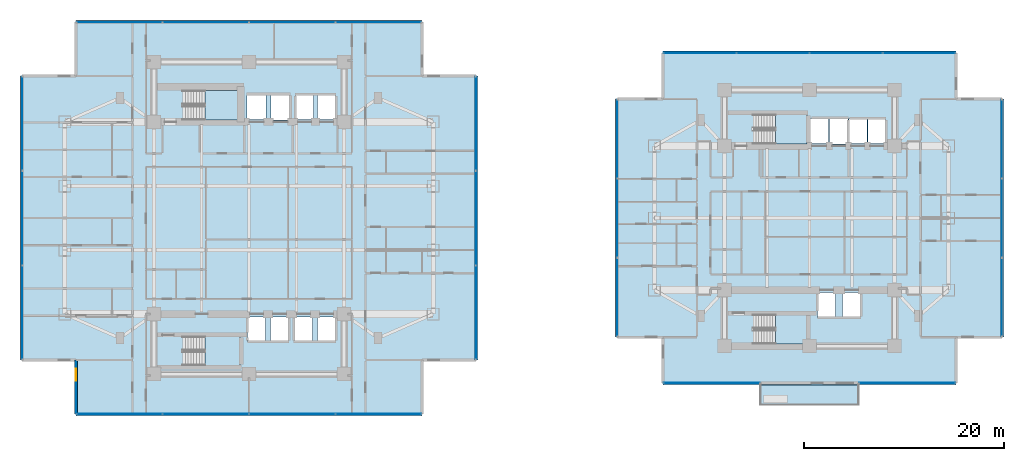
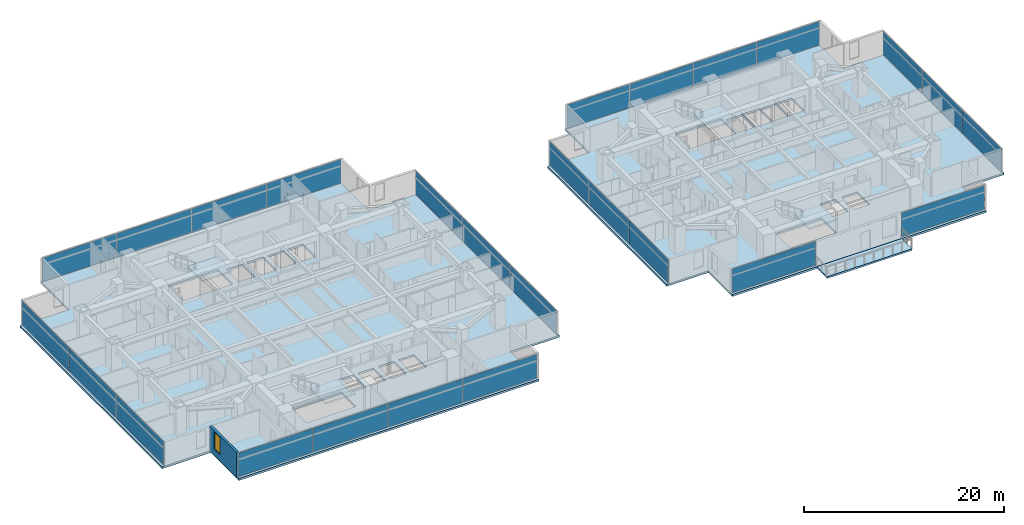
# One storey, part 13 of 27: 26 plates, 7 slabs, 1 wall, 1 window, 1 opening, 13 elements without a shape of their own.
"""IFC4 building model written with IfcOpenShell, lengths in metres."""

from ifc_helpers import new_model, si_unit, direction, frame, frame_2d, origin, origin_2d, place, context, subcontext, project, spatial, polyline, rectangle, outline, extrude, material, layer, layer_set, type_object, element, fill, aggregate, save


model = new_model("IFC4")

# Units and contexts
model_context = context("Model", 3, precision=1e-05, world=origin(), true_north=direction((0.0, 1.0)))
body_context = subcontext(model_context, "Body", "Model", "MODEL_VIEW")
ifc_project = project(units=[si_unit("LENGTHUNIT", "METRE"), si_unit("AREAUNIT", "SQUARE_METRE"), si_unit("VOLUMEUNIT", "CUBIC_METRE"), si_unit("PLANEANGLEUNIT", "RADIAN"), si_unit("MASSUNIT", "GRAM", prefix="KILO")], contexts=[model_context])

# Site, building, storey
site_placement = place(None, origin())
site = spatial("IfcSite", under=ifc_project, at=site_placement, CompositionType="ELEMENT")
building_placement = place(site_placement, origin())
building = spatial("IfcBuilding", under=site, at=building_placement, Name="Mirazonda Arch Towers", CompositionType="ELEMENT")
storey_placement = place(building_placement, frame((0.0, 0.0, 42.199951171875)))
storey = spatial("IfcBuildingStorey", under=building, at=storey_placement, Name="L11", CompositionType="ELEMENT", Elevation=42.199951171875)

# Curtain wall, plates
ifc_material_1 = material(Name="Anodised Aluminium and Low-E Glass", Category="aluminium")
curtain_wall_type = type_object("IfcCurtainWallType", Name="CW-HTL-UNIT", PredefinedType="NOTDEFINED", material=ifc_material_1)
curtain_wall_1_placement = place(storey_placement, origin())
curtain_wall_1 = element("IfcCurtainWall", 1, at=curtain_wall_1_placement, inside=storey, type_object=curtain_wall_type, Name="L11 T1 S Facade CW-L11-T1-S", PredefinedType="NOTDEFINED")
ifc_material_2 = material(Name="Insulated Low-E Solar Glass", Category="glass")
ifc_layer_1 = layer(ifc_material_2, 0.035888671875, Name="PAN-CW-HTL-UNIT")
ifc_layer_set_1 = layer_set([ifc_layer_1], Name="Insulated Low-E Solar Glass")
plate_type = type_object("IfcPlateType", Name="PAN-CW-HTL-UNIT", PredefinedType="CURTAIN_PANEL", material=ifc_layer_set_1)
plate_1_placement = place(storey_placement, frame((33.441162109375, 8.431884765625, 0.0751953125), z_axis=(0.0, 0.0, 1.0), x_axis=(-1.0, 0.0, 0.0)))
plate_1 = element("IfcPlate", 2, at=plate_1_placement, type_object=plate_type, Name="CW-112 panel 1.1", PredefinedType="CURTAIN_PANEL", context=body_context, shape_type="SweptSolid", body=[
    extrude(rectangle(XDim=8.527587890625, YDim=0.035888671875, at=origin_2d()), origin(), (0.0, 0.0, 1.0), 2.889892578125),
])
plate_2_placement = place(storey_placement, frame((24.820068359375, 8.431884765625, 0.0751953125), z_axis=(0.0, 0.0, 1.0), x_axis=(-1.0, 0.0, 0.0)))
plate_2 = element("IfcPlate", 3, at=plate_2_placement, type_object=plate_type, Name="CW-112 panel 2.1", PredefinedType="CURTAIN_PANEL", context=body_context, shape_type="SweptSolid", body=[
    extrude(rectangle(XDim=8.56494140625, YDim=0.035888671875, at=origin_2d()), origin(), (0.0, 0.0, 1.0), 2.889892578125),
])
plate_3_placement = place(storey_placement, frame((16.179931640625, 8.431884765625, 0.0751953125), z_axis=(0.0, 0.0, 1.0), x_axis=(-1.0, 0.0, 0.0)))
plate_3 = element("IfcPlate", 4, at=plate_3_placement, type_object=plate_type, Name="CW-112 panel 3.1", PredefinedType="CURTAIN_PANEL", context=body_context, shape_type="SweptSolid", body=[
    extrude(rectangle(XDim=8.56494140625, YDim=0.035888671875, at=origin_2d()), origin(), (0.0, 0.0, 1.0), 2.889892578125),
])
plate_4_placement = place(storey_placement, frame((7.558837890625, 8.431884765625, 0.0751953125), z_axis=(0.0, 0.0, 1.0), x_axis=(-1.0, 0.0, 0.0)))
plate_4 = element("IfcPlate", 5, at=plate_4_placement, type_object=plate_type, Name="CW-112 panel 4.1", PredefinedType="CURTAIN_PANEL", context=body_context, shape_type="SweptSolid", body=[
    extrude(rectangle(XDim=8.527587890625, YDim=0.035888671875, at=origin_2d()), origin(), (0.0, 0.0, 1.0), 2.889892578125),
])
aggregate(curtain_wall_1, [plate_1, plate_2, plate_3, plate_4])

curtain_wall_2_placement = place(storey_placement, origin())
curtain_wall_2 = element("IfcCurtainWall", 6, at=curtain_wall_2_placement, inside=storey, type_object=curtain_wall_type, Name="L11 T1 E Facade CW-L11-T1-E", PredefinedType="NOTDEFINED")
plate_5_placement = place(storey_placement, frame((43.159912109375, 18.56005859375, 0.0751953125), z_axis=(0.0, 0.0, 1.0), x_axis=(0.0, 1.0, 0.0)))
plate_5 = element("IfcPlate", 7, at=plate_5_placement, type_object=plate_type, Name="CW-112 panel 1.1", PredefinedType="CURTAIN_PANEL", context=body_context, shape_type="SweptSolid", body=[
    extrude(rectangle(XDim=9.34619140625, YDim=0.035888671875, at=origin_2d()), origin(), (0.0, 0.0, 1.0), 2.889892578125),
])
plate_6_placement = place(storey_placement, frame((43.159912109375, 28.0, 0.0751953125), z_axis=(0.0, 0.0, 1.0), x_axis=(0.0, 1.0, 0.0)))
plate_6 = element("IfcPlate", 8, at=plate_6_placement, type_object=plate_type, Name="CW-112 panel 2.1", PredefinedType="CURTAIN_PANEL", context=body_context, shape_type="SweptSolid", body=[
    extrude(rectangle(XDim=9.383544921875, YDim=0.035888671875, at=origin_2d()), origin(), (0.0, 0.0, 1.0), 2.889892578125),
])
plate_7_placement = place(storey_placement, frame((43.159912109375, 37.43994140625, 0.0751953125), z_axis=(0.0, 0.0, 1.0), x_axis=(0.0, 1.0, 0.0)))
plate_7 = element("IfcPlate", 9, at=plate_7_placement, type_object=plate_type, Name="CW-112 panel 3.1", PredefinedType="CURTAIN_PANEL", context=body_context, shape_type="SweptSolid", body=[
    extrude(rectangle(XDim=9.34619140625, YDim=0.035888671875, at=origin_2d()), origin(), (0.0, 0.0, 1.0), 2.889892578125),
])
aggregate(curtain_wall_2, [plate_5, plate_6, plate_7])

curtain_wall_3_placement = place(storey_placement, origin())
curtain_wall_3 = element("IfcCurtainWall", 10, at=curtain_wall_3_placement, inside=storey, type_object=curtain_wall_type, Name="L11 T1 N Facade CW-L11-T1-N", PredefinedType="NOTDEFINED")
plate_8_placement = place(storey_placement, frame((7.558837890625, 47.568115234375, 0.0751953125), z_axis=(0.0, 0.0, 1.0), x_axis=(1.0, 0.0, 0.0)))
plate_8 = element("IfcPlate", 11, at=plate_8_placement, type_object=plate_type, Name="CW-112 panel 1.1", PredefinedType="CURTAIN_PANEL", context=body_context, shape_type="SweptSolid", body=[
    extrude(rectangle(XDim=8.527587890625, YDim=0.035888671875, at=origin_2d()), origin(), (0.0, 0.0, 1.0), 2.889892578125),
])
plate_9_placement = place(storey_placement, frame((16.179931640625, 47.568115234375, 0.0751953125), z_axis=(0.0, 0.0, 1.0), x_axis=(1.0, 0.0, 0.0)))
plate_9 = element("IfcPlate", 12, at=plate_9_placement, type_object=plate_type, Name="CW-112 panel 2.1", PredefinedType="CURTAIN_PANEL", context=body_context, shape_type="SweptSolid", body=[
    extrude(rectangle(XDim=8.56494140625, YDim=0.035888671875, at=origin_2d()), origin(), (0.0, 0.0, 1.0), 2.889892578125),
])
plate_10_placement = place(storey_placement, frame((24.820068359375, 47.568115234375, 0.0751953125), z_axis=(0.0, 0.0, 1.0), x_axis=(1.0, 0.0, 0.0)))
plate_10 = element("IfcPlate", 13, at=plate_10_placement, type_object=plate_type, Name="CW-112 panel 3.1", PredefinedType="CURTAIN_PANEL", context=body_context, shape_type="SweptSolid", body=[
    extrude(rectangle(XDim=8.56494140625, YDim=0.035888671875, at=origin_2d()), origin(), (0.0, 0.0, 1.0), 2.889892578125),
])
plate_11_placement = place(storey_placement, frame((33.441162109375, 47.568115234375, 0.0751953125), z_axis=(0.0, 0.0, 1.0), x_axis=(1.0, 0.0, 0.0)))
plate_11 = element("IfcPlate", 14, at=plate_11_placement, type_object=plate_type, Name="CW-112 panel 4.1", PredefinedType="CURTAIN_PANEL", context=body_context, shape_type="SweptSolid", body=[
    extrude(rectangle(XDim=8.527587890625, YDim=0.035888671875, at=origin_2d()), origin(), (0.0, 0.0, 1.0), 2.889892578125),
])
aggregate(curtain_wall_3, [plate_8, plate_9, plate_10, plate_11])

curtain_wall_4_placement = place(storey_placement, origin())
curtain_wall_4 = element("IfcCurtainWall", 15, at=curtain_wall_4_placement, inside=storey, type_object=curtain_wall_type, Name="L11 T1 W Facade CW-L11-T1-W", PredefinedType="NOTDEFINED")
plate_12_placement = place(storey_placement, frame((-2.159912109375, 37.43994140625, 0.0751953125), z_axis=(0.0, 0.0, 1.0), x_axis=(0.0, -1.0, 0.0)))
plate_12 = element("IfcPlate", 16, at=plate_12_placement, type_object=plate_type, Name="CW-112 panel 1.1", PredefinedType="CURTAIN_PANEL", context=body_context, shape_type="SweptSolid", body=[
    extrude(rectangle(XDim=9.34619140625, YDim=0.035888671875, at=origin_2d()), origin(), (0.0, 0.0, 1.0), 2.889892578125),
])
plate_13_placement = place(storey_placement, frame((-2.159912109375, 28.0, 0.0751953125), z_axis=(0.0, 0.0, 1.0), x_axis=(0.0, -1.0, 0.0)))
plate_13 = element("IfcPlate", 17, at=plate_13_placement, type_object=plate_type, Name="CW-112 panel 2.1", PredefinedType="CURTAIN_PANEL", context=body_context, shape_type="SweptSolid", body=[
    extrude(rectangle(XDim=9.383544921875, YDim=0.035888671875, at=origin_2d()), origin(), (0.0, 0.0, 1.0), 2.889892578125),
])
plate_14_placement = place(storey_placement, frame((-2.159912109375, 18.56005859375, 0.0751953125), z_axis=(0.0, 0.0, 1.0), x_axis=(0.0, -1.0, 0.0)))
plate_14 = element("IfcPlate", 18, at=plate_14_placement, type_object=plate_type, Name="CW-112 panel 3.1", PredefinedType="CURTAIN_PANEL", context=body_context, shape_type="SweptSolid", body=[
    extrude(rectangle(XDim=9.34619140625, YDim=0.035888671875, at=origin_2d()), origin(), (0.0, 0.0, 1.0), 2.889892578125),
])
aggregate(curtain_wall_4, [plate_12, plate_13, plate_14])

# Curtain wall, plate
curtain_wall_5_placement = place(storey_placement, origin())
curtain_wall_5 = element("IfcCurtainWall", 19, at=curtain_wall_5_placement, inside=storey, type_object=curtain_wall_type, Name="L11 Curtain Wall CW-L11-T2-SA", PredefinedType="NOTDEFINED")
plate_15_placement = place(storey_placement, frame((86.259033203125, 11.520263671875, 0.0751953125), z_axis=(0.0, 0.0, 1.0), x_axis=(-1.0, 0.0, 0.0)))
plate_15 = element("IfcPlate", 20, at=plate_15_placement, type_object=plate_type, Name="CW-112 panel 1.1", PredefinedType="CURTAIN_PANEL", context=body_context, shape_type="SweptSolid", body=[
    extrude(rectangle(XDim=9.587890625, YDim=0.035888671875, at=origin_2d()), origin(), (0.0, 0.0, 1.0), 2.889892578125),
])
aggregate(curtain_wall_5, [plate_15])

curtain_wall_6_placement = place(storey_placement, origin())
curtain_wall_6 = element("IfcCurtainWall", 21, at=curtain_wall_6_placement, inside=storey, type_object=curtain_wall_type, Name="L11 Curtain Wall CW-L11-T2-SB", PredefinedType="NOTDEFINED")
plate_16_placement = place(storey_placement, frame((66.740966796875, 11.520263671875, 0.0751953125), z_axis=(0.0, 0.0, 1.0), x_axis=(-1.0, 0.0, 0.0)))
plate_16 = element("IfcPlate", 22, at=plate_16_placement, type_object=plate_type, Name="CW-112 panel 1.1", PredefinedType="CURTAIN_PANEL", context=body_context, shape_type="SweptSolid", body=[
    extrude(rectangle(XDim=9.587890625, YDim=0.035888671875, at=origin_2d()), origin(), (0.0, 0.0, 1.0), 2.889892578125),
])
aggregate(curtain_wall_6, [plate_16])

# Curtain wall, plates
curtain_wall_7_placement = place(storey_placement, origin())
curtain_wall_7 = element("IfcCurtainWall", 23, at=curtain_wall_7_placement, inside=storey, type_object=curtain_wall_type, Name="L11 T2 E Facade CW-L11-T2-E", PredefinedType="NOTDEFINED")
plate_17_placement = place(storey_placement, frame((95.7080078125, 20.08544921875, 0.0751953125), z_axis=(0.0, 0.0, 1.0), x_axis=(0.0, 1.0, 0.0)))
plate_17 = element("IfcPlate", 24, at=plate_17_placement, type_object=plate_type, Name="CW-112 panel 1.1", PredefinedType="CURTAIN_PANEL", context=body_context, shape_type="SweptSolid", body=[
    extrude(rectangle(XDim=7.82080078125, YDim=0.035888671875, at=origin_2d()), origin(), (0.0, 0.0, 1.0), 2.889892578125),
])
plate_18_placement = place(storey_placement, frame((95.7080078125, 28.0, 0.0751953125), z_axis=(0.0, 0.0, 1.0), x_axis=(0.0, 1.0, 0.0)))
plate_18 = element("IfcPlate", 25, at=plate_18_placement, type_object=plate_type, Name="CW-112 panel 2.1", PredefinedType="CURTAIN_PANEL", context=body_context, shape_type="SweptSolid", body=[
    extrude(rectangle(XDim=7.858154296875, YDim=0.035888671875, at=origin_2d()), origin(), (0.0, 0.0, 1.0), 2.889892578125),
])
plate_19_placement = place(storey_placement, frame((95.7080078125, 35.91455078125, 0.0751953125), z_axis=(0.0, 0.0, 1.0), x_axis=(0.0, 1.0, 0.0)))
plate_19 = element("IfcPlate", 26, at=plate_19_placement, type_object=plate_type, Name="CW-112 panel 3.1", PredefinedType="CURTAIN_PANEL", context=body_context, shape_type="SweptSolid", body=[
    extrude(rectangle(XDim=7.82080078125, YDim=0.035888671875, at=origin_2d()), origin(), (0.0, 0.0, 1.0), 2.889892578125),
])
aggregate(curtain_wall_7, [plate_17, plate_18, plate_19])

curtain_wall_8_placement = place(storey_placement, origin())
curtain_wall_8 = element("IfcCurtainWall", 27, at=curtain_wall_8_placement, inside=storey, type_object=curtain_wall_type, Name="L11 T2 N Facade CW-L11-T2-N", PredefinedType="NOTDEFINED")
plate_20_placement = place(storey_placement, frame((65.5478515625, 44.479736328125, 0.0751953125), z_axis=(0.0, 0.0, 1.0), x_axis=(1.0, 0.0, 0.0)))
plate_20 = element("IfcPlate", 28, at=plate_20_placement, type_object=plate_type, Name="CW-112 panel 1.1", PredefinedType="CURTAIN_PANEL", context=body_context, shape_type="SweptSolid", body=[
    extrude(rectangle(XDim=7.201416015625, YDim=0.035888671875, at=origin_2d()), origin(), (0.0, 0.0, 1.0), 2.889892578125),
])
plate_21_placement = place(storey_placement, frame((72.843017578125, 44.479736328125, 0.0751953125), z_axis=(0.0, 0.0, 1.0), x_axis=(1.0, 0.0, 0.0)))
plate_21 = element("IfcPlate", 29, at=plate_21_placement, type_object=plate_type, Name="CW-112 panel 2.1", PredefinedType="CURTAIN_PANEL", context=body_context, shape_type="SweptSolid", body=[
    extrude(rectangle(XDim=7.239013671875, YDim=0.035888671875, at=origin_2d()), origin(), (0.0, 0.0, 1.0), 2.889892578125),
])
plate_22_placement = place(storey_placement, frame((80.156982421875, 44.479736328125, 0.0751953125), z_axis=(0.0, 0.0, 1.0), x_axis=(1.0, 0.0, 0.0)))
plate_22 = element("IfcPlate", 30, at=plate_22_placement, type_object=plate_type, Name="CW-112 panel 3.1", PredefinedType="CURTAIN_PANEL", context=body_context, shape_type="SweptSolid", body=[
    extrude(rectangle(XDim=7.239013671875, YDim=0.035888671875, at=origin_2d()), origin(), (0.0, 0.0, 1.0), 2.889892578125),
])
plate_23_placement = place(storey_placement, frame((87.4521484375, 44.479736328125, 0.0751953125), z_axis=(0.0, 0.0, 1.0), x_axis=(1.0, 0.0, 0.0)))
plate_23 = element("IfcPlate", 31, at=plate_23_placement, type_object=plate_type, Name="CW-112 panel 4.1", PredefinedType="CURTAIN_PANEL", context=body_context, shape_type="SweptSolid", body=[
    extrude(rectangle(XDim=7.201416015625, YDim=0.035888671875, at=origin_2d()), origin(), (0.0, 0.0, 1.0), 2.889892578125),
])
aggregate(curtain_wall_8, [plate_20, plate_21, plate_22, plate_23])

curtain_wall_9_placement = place(storey_placement, origin())
curtain_wall_9 = element("IfcCurtainWall", 32, at=curtain_wall_9_placement, inside=storey, type_object=curtain_wall_type, Name="L11 T2 W Facade CW-L11-T2-W", PredefinedType="NOTDEFINED")
plate_24_placement = place(storey_placement, frame((57.2919921875, 35.91455078125, 0.0751953125), z_axis=(0.0, 0.0, 1.0), x_axis=(0.0, -1.0, 0.0)))
plate_24 = element("IfcPlate", 33, at=plate_24_placement, type_object=plate_type, Name="CW-112 panel 1.1", PredefinedType="CURTAIN_PANEL", context=body_context, shape_type="SweptSolid", body=[
    extrude(rectangle(XDim=7.82080078125, YDim=0.035888671875, at=origin_2d()), origin(), (0.0, 0.0, 1.0), 2.889892578125),
])
plate_25_placement = place(storey_placement, frame((57.2919921875, 28.0, 0.0751953125), z_axis=(0.0, 0.0, 1.0), x_axis=(0.0, -1.0, 0.0)))
plate_25 = element("IfcPlate", 34, at=plate_25_placement, type_object=plate_type, Name="CW-112 panel 2.1", PredefinedType="CURTAIN_PANEL", context=body_context, shape_type="SweptSolid", body=[
    extrude(rectangle(XDim=7.858154296875, YDim=0.035888671875, at=origin_2d()), origin(), (0.0, 0.0, 1.0), 2.889892578125),
])
plate_26_placement = place(storey_placement, frame((57.2919921875, 20.08544921875, 0.0751953125), z_axis=(0.0, 0.0, 1.0), x_axis=(0.0, -1.0, 0.0)))
plate_26 = element("IfcPlate", 35, at=plate_26_placement, type_object=plate_type, Name="CW-112 panel 3.1", PredefinedType="CURTAIN_PANEL", context=body_context, shape_type="SweptSolid", body=[
    extrude(rectangle(XDim=7.82080078125, YDim=0.035888671875, at=origin_2d()), origin(), (0.0, 0.0, 1.0), 2.889892578125),
])
aggregate(curtain_wall_9, [plate_24, plate_25, plate_26])

# Stair, slab
ifc_material_3 = material(Name="Concrete C40/50", Category="concrete")
stair_type = type_object("IfcStairType", Name="STAIR-CORE-1400", PredefinedType="HALF_TURN_STAIR", material=ifc_material_3)
stair_1_placement = place(storey_placement, origin())
stair_1 = element("IfcStair", 36, at=stair_1_placement, inside=storey, type_object=stair_type, Name="L11 Protected Exit Stair ST-T1N", PredefinedType="HALF_TURN_STAIR")
ifc_layer_2 = layer(ifc_material_3, 0.18994140625, Name="SLAB-LANDING-190")
ifc_layer_set_2 = layer_set([ifc_layer_2], Name="Concrete C40/50")
slab_type_1 = type_object("IfcSlabType", Name="SLAB-LANDING-190", PredefinedType="LANDING", material=ifc_layer_set_2)
slab_1_placement = place(storey_placement, frame((0.0, 0.0, 1.449951171875)))
slab_1 = element("IfcSlab", 37, at=slab_1_placement, type_object=slab_type_1, Name="ST-T1N landing 1", PredefinedType="LANDING", context=body_context, shape_type="SweptSolid", body=[
    extrude(outline(polyline([(16.090087890625, 37.820068359375), (19.60009765625, 37.820068359375), (19.60009765625, 40.760009765625), (16.090087890625, 40.760009765625), (16.090087890625, 37.820068359375)])), origin(), (0.0, 0.0, 1.0), 0.2001953125),
])
aggregate(stair_1, [slab_1])

stair_2_placement = place(storey_placement, origin())
stair_2 = element("IfcStair", 38, at=stair_2_placement, inside=storey, type_object=stair_type, Name="L11 Protected Exit Stair ST-T1S", PredefinedType="HALF_TURN_STAIR")
slab_2_placement = place(storey_placement, frame((0.0, 0.0, 1.449951171875)))
slab_2 = element("IfcSlab", 39, at=slab_2_placement, type_object=slab_type_1, Name="ST-T1S landing 1", PredefinedType="LANDING", context=body_context, shape_type="SweptSolid", body=[
    extrude(outline(polyline([(16.090087890625, 13.25), (19.60009765625, 13.25), (19.60009765625, 16.18994140625), (16.090087890625, 16.18994140625), (16.090087890625, 13.25)])), origin(), (0.0, 0.0, 1.0), 0.2001953125),
])
aggregate(stair_2, [slab_2])

stair_3_placement = place(storey_placement, origin())
stair_3 = element("IfcStair", 40, at=stair_3_placement, inside=storey, type_object=stair_type, Name="L11 Protected Exit Stair ST-T2N", PredefinedType="HALF_TURN_STAIR")
slab_3_placement = place(storey_placement, frame((0.0, 0.0, 1.449951171875)))
slab_3 = element("IfcSlab", 41, at=slab_3_placement, type_object=slab_type_1, Name="ST-T2N landing 1", PredefinedType="LANDING", context=body_context, shape_type="SweptSolid", body=[
    extrude(outline(polyline([(73.090087890625, 35.419921875), (76.22998046875, 35.419921875), (76.22998046875, 38.360107421875), (73.090087890625, 38.360107421875), (73.090087890625, 35.419921875)])), origin(), (0.0, 0.0, 1.0), 0.2001953125),
])
aggregate(stair_3, [slab_3])

stair_4_placement = place(storey_placement, origin())
stair_4 = element("IfcStair", 42, at=stair_4_placement, inside=storey, type_object=stair_type, Name="L11 Protected Exit Stair ST-T2S", PredefinedType="HALF_TURN_STAIR")
slab_4_placement = place(storey_placement, frame((0.0, 0.0, 1.449951171875)))
slab_4 = element("IfcSlab", 43, at=slab_4_placement, type_object=slab_type_1, Name="ST-T2S landing 1", PredefinedType="LANDING", context=body_context, shape_type="SweptSolid", body=[
    extrude(outline(polyline([(73.090087890625, 15.419921875), (76.22998046875, 15.419921875), (76.22998046875, 18.360107421875), (73.090087890625, 18.360107421875), (73.090087890625, 15.419921875)])), origin(), (0.0, 0.0, 1.0), 0.2001953125),
])
aggregate(stair_4, [slab_4])

# Slabs
ifc_layer_3 = layer(ifc_material_3, 0.2099609375, Name="SLAB-TERRACE-210")
ifc_layer_set_3 = layer_set([ifc_layer_3], Name="Concrete C40/50")
slab_type_2 = type_object("IfcSlabType", Name="SLAB-TERRACE-210", PredefinedType="FLOOR", material=ifc_layer_set_3)
slab_5_placement = place(storey_placement, frame((0.0, 0.0, -0.2099609375)))
element("IfcSlab", 44, at=slab_5_placement, inside=storey, type_object=slab_type_2, Name="L11 T2 Spiralling Sky-Terrace Balcony Slab", PredefinedType="FLOOR", context=body_context, shape_type="SweptSolid", body=[
    extrude(outline(polyline([(71.60009765625, 9.250244140625), (81.39990234375, 9.250244140625), (81.39990234375, 11.310302734375), (71.60009765625, 11.310302734375), (71.60009765625, 9.250244140625)])), origin(), (0.0, 0.0, 1.0), 0.2099609375),
])
ifc_layer_4 = layer(ifc_material_3, 0.239990234375, Name="SLAB-TWR-240")
ifc_layer_set_4 = layer_set([ifc_layer_4], Name="Concrete C40/50")
slab_type_3 = type_object("IfcSlabType", Name="SLAB-TWR-240", PredefinedType="FLOOR", material=ifc_layer_set_4)
slab_6_placement = place(storey_placement, frame((0.0, 0.0, -0.239990234375)))
element("IfcSlab", 45, at=slab_6_placement, inside=storey, type_object=slab_type_3, Name="L11 Tower 1 Floor Slab", PredefinedType="FLOOR", context=body_context, shape_type="SweptSolid", body=[
    extrude(outline(polyline([(3.219970703125, 8.2119140625), (37.780029296875, 8.2119140625), (37.780029296875, 13.81201171875), (43.3798828125, 13.81201171875), (43.3798828125, 42.18798828125), (37.780029296875, 42.18798828125), (37.780029296875, 47.7880859375), (3.219970703125, 47.7880859375), (3.219970703125, 42.18798828125), (-2.3798828125, 42.18798828125), (-2.3798828125, 13.81201171875), (3.219970703125, 13.81201171875), (3.219970703125, 8.2119140625)]), holes=[polyline([(29.139892578125, 18.139892578125), (29.139892578125, 15.659912109375), (27.360107421875, 15.659912109375), (27.360107421875, 18.139892578125), (29.139892578125, 18.139892578125)]), polyline([(29.139892578125, 40.340087890625), (29.139892578125, 37.860107421875), (27.360107421875, 37.860107421875), (27.360107421875, 40.340087890625), (29.139892578125, 40.340087890625)]), polyline([(25.159912109375, 40.340087890625), (26.93994140625, 40.340087890625), (26.93994140625, 37.860107421875), (25.159912109375, 37.860107421875), (25.159912109375, 40.340087890625)]), polyline([(26.840087890625, 18.139892578125), (26.840087890625, 15.659912109375), (25.06005859375, 15.659912109375), (25.06005859375, 18.139892578125), (26.840087890625, 18.139892578125)]), polyline([(22.7099609375, 40.389892578125), (24.590087890625, 40.389892578125), (24.590087890625, 37.81005859375), (22.7099609375, 37.81005859375), (22.7099609375, 40.389892578125)]), polyline([(22.659912109375, 18.139892578125), (24.43994140625, 18.139892578125), (24.43994140625, 15.659912109375), (22.659912109375, 15.659912109375), (22.659912109375, 18.139892578125)]), polyline([(20.31005859375, 40.340087890625), (22.18994140625, 40.340087890625), (22.18994140625, 37.860107421875), (20.31005859375, 37.860107421875), (20.31005859375, 40.340087890625)]), polyline([(20.360107421875, 18.139892578125), (22.139892578125, 18.139892578125), (22.139892578125, 15.659912109375), (20.360107421875, 15.659912109375), (20.360107421875, 18.139892578125)]), polyline([(13.925048828125, 40.760009765625), (19.60009765625, 40.760009765625), (19.60009765625, 37.820068359375), (13.925048828125, 37.820068359375), (13.925048828125, 40.760009765625)]), polyline([(13.925048828125, 13.25), (13.925048828125, 16.18994140625), (19.60009765625, 16.18994140625), (19.60009765625, 13.25), (13.925048828125, 13.25)])]), origin(), (0.0, 0.0, 1.0), 0.239990234375),
])
slab_7_placement = place(storey_placement, frame((0.0, 0.0, -0.239990234375)))
element("IfcSlab", 46, at=slab_7_placement, inside=storey, type_object=slab_type_3, Name="L11 Tower 2 Floor Slab", PredefinedType="FLOOR", context=body_context, shape_type="SweptSolid", body=[
    extrude(outline(polyline([(61.8720703125, 11.30029296875), (91.1279296875, 11.30029296875), (91.1279296875, 16.10009765625), (95.927978515625, 16.10009765625), (95.927978515625, 39.89990234375), (91.1279296875, 39.89990234375), (91.1279296875, 44.69970703125), (61.8720703125, 44.69970703125), (61.8720703125, 39.89990234375), (57.072021484375, 39.89990234375), (57.072021484375, 16.10009765625), (61.8720703125, 16.10009765625), (61.8720703125, 11.30029296875)]), holes=[polyline([(82.330078125, 37.93994140625), (84.110107421875, 37.93994140625), (84.110107421875, 35.4599609375), (82.330078125, 35.4599609375), (82.330078125, 37.93994140625)]), polyline([(80.449951171875, 37.93994140625), (82.22998046875, 37.93994140625), (82.22998046875, 35.4599609375), (80.449951171875, 35.4599609375), (80.449951171875, 37.93994140625)]), polyline([(79.81005859375, 20.5400390625), (81.590087890625, 20.5400390625), (81.590087890625, 18.06005859375), (79.81005859375, 18.06005859375), (79.81005859375, 20.5400390625)]), polyline([(78.47998046875, 37.989990234375), (80.360107421875, 37.989990234375), (80.360107421875, 35.409912109375), (78.47998046875, 35.409912109375), (78.47998046875, 37.989990234375)]), polyline([(77.31005859375, 20.5400390625), (79.090087890625, 20.5400390625), (79.090087890625, 18.06005859375), (77.31005859375, 18.06005859375), (77.31005859375, 20.5400390625)]), polyline([(76.510009765625, 37.93994140625), (78.389892578125, 37.93994140625), (78.389892578125, 35.4599609375), (76.510009765625, 35.4599609375), (76.510009765625, 37.93994140625)]), polyline([(70.925048828125, 15.419921875), (70.925048828125, 18.360107421875), (76.22998046875, 18.360107421875), (76.22998046875, 15.419921875), (70.925048828125, 15.419921875)]), polyline([(70.925048828125, 35.419921875), (70.925048828125, 38.360107421875), (76.22998046875, 38.360107421875), (76.22998046875, 35.419921875), (70.925048828125, 35.419921875)])]), origin(), (0.0, 0.0, 1.0), 0.239990234375),
])

# Wall, opening, window
ifc_material_4 = material(Name="Precast Concrete C40/50", Category="concrete")
ifc_layer_5 = layer(ifc_material_4, 0.280029296875, Name="WALL-EXT-WALL-280")
ifc_layer_set_5 = layer_set([ifc_layer_5], Name="Precast Concrete C40/50")
wall_type = type_object("IfcWallType", Name="WALL-EXT-WALL-280", PredefinedType="SOLIDWALL", material=ifc_layer_set_5)
wall_placement = place(storey_placement, frame((3.219970703125, 13.81201171875, 0.0), z_axis=(0.0, 0.0, 1.0), x_axis=(0.0, -1.0, 0.0)))
wall = element("IfcWall", 47, at=wall_placement, inside=storey, type_object=wall_type, Name="L11 T1 Notched SW Corner Wall WL-L11-T1-CSW", PredefinedType="SOLIDWALL", context=body_context, shape_type="SweptSolid", body=[
    extrude(rectangle(XDim=5.380126953125, YDim=0.280029296875, at=frame_2d((2.68994140625, 0.0))), origin(), (0.0, 0.0, 1.0), 3.0400390625),
])
opening_placement = place(wall_placement, frame((0.85009765625, 0.0, 0.7900390625)))
opening = element("IfcOpeningElement", 48, at=opening_placement, cuts=wall, Name="Opening WN-122", PredefinedType="OPENING", context=body_context, shape_type="SweptSolid", body=[
    extrude(rectangle(XDim=1.199951171875, YDim=2.10009765625, at=frame_2d((0.60009765625, 1.050048828125))), frame((0.0, 0.14990234375, 0.0), z_axis=(0.0, -1.0, 0.0), x_axis=(1.0, 0.0, 0.0)), (0.0, 0.0, 1.0), 0.300048828125),
])
window_type = type_object("IfcWindowType", Name="WIN-HTL-1200x2100", PartitioningType="SINGLE_PANEL", PredefinedType="WINDOW", material=ifc_material_2)
window_placement = place(opening_placement, origin())
window = element("IfcWindow", 49, at=window_placement, inside=storey, type_object=window_type, Name="L11 Punched Facade Window WN-L11-T1-CSW", OverallHeight=2.10009765625, OverallWidth=1.199951171875, PartitioningType="SINGLE_PANEL", PredefinedType="WINDOW", context=body_context, shape_type="SweptSolid", body=[
    extrude(rectangle(XDim=1.199951171875, YDim=2.10009765625, at=frame_2d((0.60009765625, 1.050048828125))), frame((0.0, 0.030029296875, 0.0), z_axis=(0.0, -1.0, 0.0), x_axis=(1.0, 0.0, 0.0)), (0.0, 0.0, 1.0), 0.06005859375),
])
fill(opening, window)

save(model, "model.ifc")
